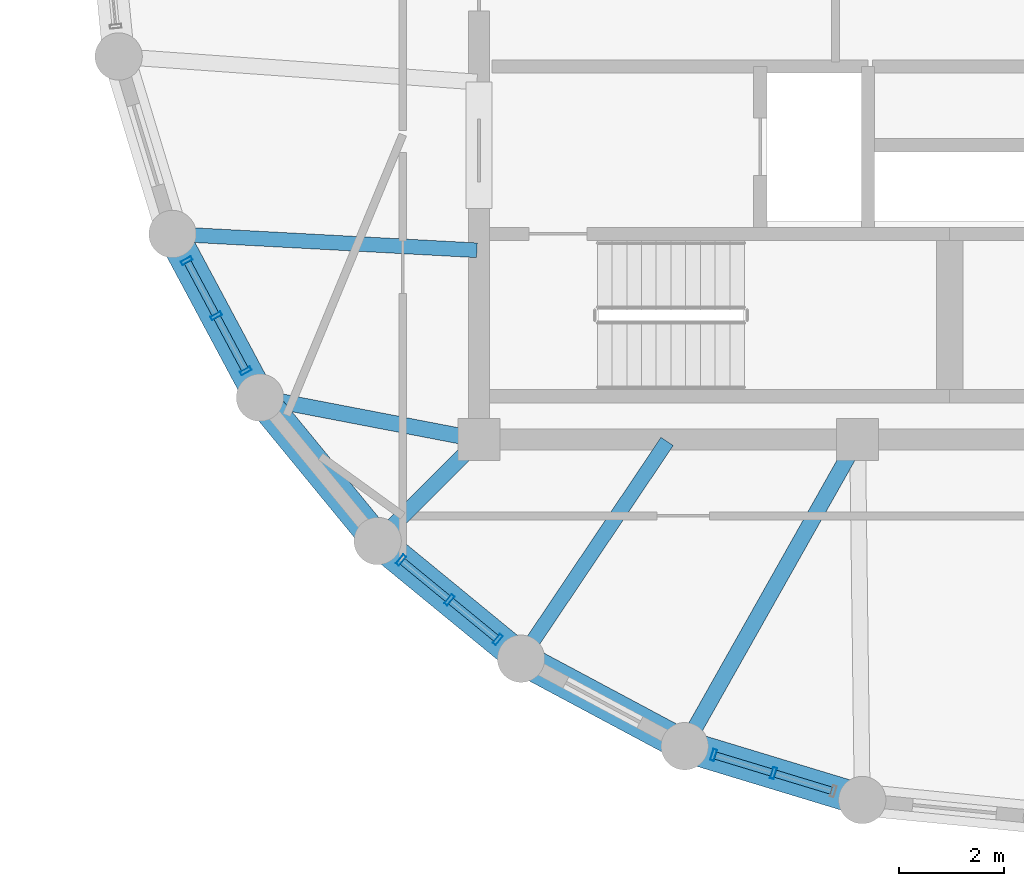
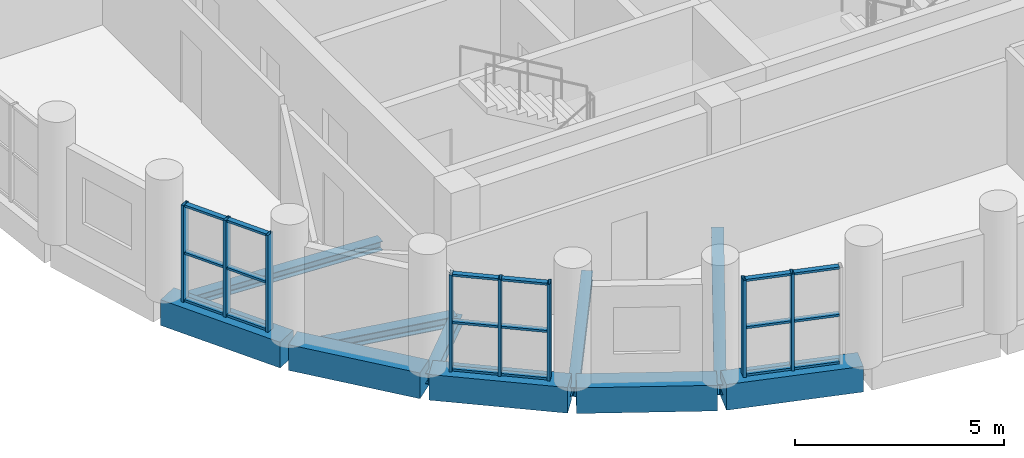
# One storey, part 2 of 11: 26 members, 10 beams, 3 elements without a shape of their own.
"""IFC4 building model written with IfcOpenShell, lengths in metres."""

from ifc_helpers import new_model, si_unit, direction, frame, origin, origin_2d, place, context, subcontext, project, spatial, rectangle, hollow_rectangle, i_section, extrude, material, layer, layer_set, material_profile, profile_set, type_object, element, aggregate, save


model = new_model("IFC4")

# Units and contexts
model_context = context("Model", 3, precision=1e-05, world=origin(), true_north=direction((0.0, 1.0)))
body_context = subcontext(model_context, "Body", "Model", "MODEL_VIEW")
ifc_project = project(units=[si_unit("LENGTHUNIT", "METRE"), si_unit("AREAUNIT", "SQUARE_METRE"), si_unit("VOLUMEUNIT", "CUBIC_METRE"), si_unit("PLANEANGLEUNIT", "RADIAN"), si_unit("MASSUNIT", "GRAM", prefix="KILO")], contexts=[model_context])

# Site, building, storey
site_placement = place(None, origin())
site = spatial("IfcSite", under=ifc_project, at=site_placement, CompositionType="ELEMENT")
building_placement = place(site_placement, origin())
building = spatial("IfcBuilding", under=site, at=building_placement, Name="Solnavia Interchange Tower", CompositionType="ELEMENT")
storey_placement = place(building_placement, frame((0.0, 0.0, 263.0)))
storey = spatial("IfcBuildingStorey", under=building, at=storey_placement, Name="L66", CompositionType="ELEMENT", Elevation=263.0)

# Beams
ifc_material_1 = material(Name="Steel S460", Category="steel")
ifc_material_profile_1 = material_profile(ifc_material_1, i_section(OverallWidth=0.300048828125, OverallDepth=0.300048828125, WebThickness=0.010986328125, FlangeThickness=0.01904296875, FilletRadius=0.027099609375, at=origin_2d()), Name="HEB 300")
ifc_profile_set_1 = profile_set([ifc_material_profile_1], Name="Steel S460")
beam_type_1 = type_object("IfcBeamType", Name="Beam-Girder-HEB300", PredefinedType="BEAM", material=ifc_profile_set_1)
beam_1_placement = place(storey_placement, frame((10.3125, 11.5849609375, -0.39990234375), z_axis=(0.982057527796, -0.188581579428, 0.0), x_axis=(0.188581579428, 0.982057527796, 0.0)))
element("IfcBeam", 1, at=beam_1_placement, inside=storey, type_object=beam_type_1, Name="GRD-L66-DR07 Drum radial floor girder", PredefinedType="BEAM", context=body_context, shape_type="SweptSolid", body=[
    extrude(i_section(OverallWidth=0.300048828125, OverallDepth=0.300048828125, WebThickness=0.010986328125, FlangeThickness=0.01904296875, FilletRadius=0.027099609375, at=origin_2d()), origin(), (0.0, 0.0, 1.0), 4.1220703125),
])
beam_2_placement = place(storey_placement, frame((18.351318359375, 5.039794921875, -0.39990234375), z_axis=(0.491243158486, 0.871022479182, 0.0), x_axis=(-0.871022479182, 0.491243158486, 0.0)))
element("IfcBeam", 2, at=beam_2_placement, inside=storey, type_object=beam_type_1, Name="GRD-L66-DR10 Drum radial floor girder", PredefinedType="BEAM", context=body_context, shape_type="SweptSolid", body=[
    extrude(i_section(OverallWidth=0.300048828125, OverallDepth=0.300048828125, WebThickness=0.010986328125, FlangeThickness=0.01904296875, FilletRadius=0.027099609375, at=origin_2d()), origin(), (0.0, 0.0, 1.0), 6.5732421875),
])
ifc_material_2 = material(Name="Steel S355", Category="steel")
ifc_material_profile_2 = material_profile(ifc_material_2, i_section(OverallWidth=0.280029296875, OverallDepth=0.27001953125, WebThickness=0.008056640625, FlangeThickness=0.012939453125, FilletRadius=0.02392578125, at=origin_2d()), Name="HEA 280")
ifc_profile_set_2 = profile_set([ifc_material_profile_2], Name="Steel S355")
beam_type_2 = type_object("IfcBeamType", Name="Beam-Primary-HEA280", PredefinedType="BEAM", material=ifc_profile_set_2)
beam_3_placement = place(storey_placement, frame((8.64990234375, 14.707763671875, -0.385009765625), z_axis=(0.998570371303, -0.053452909696, 0.0), x_axis=(0.053452909696, 0.998570371303, 0.0)))
element("IfcBeam", 3, at=beam_3_placement, inside=storey, type_object=beam_type_2, Name="GRD-L66-DR06 Drum radial floor girder", PredefinedType="BEAM", context=body_context, shape_type="SweptSolid", body=[
    extrude(i_section(OverallWidth=0.280029296875, OverallDepth=0.27001953125, WebThickness=0.008056640625, FlangeThickness=0.012939453125, FilletRadius=0.02392578125, at=origin_2d()), origin(), (0.0, 0.0, 1.0), 5.71826171875),
])
beam_4_placement = place(storey_placement, frame((15.24462890625, 6.700439453125, -0.385009765625), z_axis=(0.557835474219, 0.829951555033, 0.0), x_axis=(-0.829951555033, 0.557835474219, 0.0)))
element("IfcBeam", 4, at=beam_4_placement, inside=storey, type_object=beam_type_2, Name="GRD-L66-DR09 Drum radial floor girder", PredefinedType="BEAM", context=body_context, shape_type="SweptSolid", body=[
    extrude(i_section(OverallWidth=0.280029296875, OverallDepth=0.27001953125, WebThickness=0.008056640625, FlangeThickness=0.012939453125, FilletRadius=0.02392578125, at=origin_2d()), origin(), (0.0, 0.0, 1.0), 4.899658203125),
])
ifc_material_profile_3 = material_profile(ifc_material_2, i_section(OverallWidth=0.300048828125, OverallDepth=0.31005859375, WebThickness=0.009033203125, FlangeThickness=0.015380859375, FilletRadius=0.027099609375, at=origin_2d()), Name="HEA 320")
ifc_profile_set_3 = profile_set([ifc_material_profile_3], Name="Steel S355")
beam_type_3 = type_object("IfcBeamType", Name="Beam-Primary-HEA320", PredefinedType="BEAM", material=ifc_profile_set_3)
beam_5_placement = place(storey_placement, frame((12.528564453125, 8.9287109375, -0.405029296875), z_axis=(0.707106781187, 0.707106781187, 0.0), x_axis=(-0.707106781187, 0.707106781187, 0.0)))
element("IfcBeam", 5, at=beam_5_placement, inside=storey, type_object=beam_type_3, Name="GRD-L66-DR08 Drum radial floor girder", PredefinedType="BEAM", context=body_context, shape_type="SweptSolid", body=[
    extrude(i_section(OverallWidth=0.300048828125, OverallDepth=0.31005859375, WebThickness=0.009033203125, FlangeThickness=0.015380859375, FilletRadius=0.027099609375, at=origin_2d()), origin(), (0.0, 0.0, 1.0), 2.6064453125),
])
ifc_material_3 = material(Name="Concrete C50/60", Category="concrete")
ifc_material_profile_4 = material_profile(ifc_material_3, rectangle(XDim=0.60009765625, YDim=0.75, at=origin_2d()), Name="RC 600x750")
ifc_profile_set_4 = profile_set([ifc_material_profile_4], Name="Concrete C50/60")
beam_type_4 = type_object("IfcBeamType", Name="Beam-Spandrel-RC600x750", PredefinedType="SPANDREL", material=ifc_profile_set_4)
beam_6_placement = place(storey_placement, frame((8.607666015625, 14.6416015625, -0.375), z_axis=(0.471509422952, -0.881861023102, 0.0), x_axis=(0.881861023102, 0.471509422952, 0.0)))
element("IfcBeam", 6, at=beam_6_placement, inside=storey, type_object=beam_type_4, Name="SPB-L66-03 Framed-tube perimeter spandrel beam", PredefinedType="SPANDREL", context=body_context, shape_type="SweptSolid", body=[
    extrude(rectangle(XDim=0.60009765625, YDim=0.75, at=origin_2d()), origin(), (0.0, 0.0, 1.0), 3.369140625),
])
for number, where, z_axis, x_axis, name in (
    (7, (10.28466796875, 11.5380859375, -0.375), (0.634298841675, -0.773087950656, 0.0), (0.773087950656, 0.634298841675, 0.0), "SPB-L66-04 Framed-tube perimeter spandrel beam"),
    (8, (12.53369140625, 8.8212890625, -0.375), (0.773152644452, -0.634219984214, 0.0), (0.634219984214, 0.773152644452, 0.0), "SPB-L66-05 Framed-tube perimeter spandrel beam"),
):
    element("IfcBeam", number, at=place(storey_placement, frame(where, z_axis=z_axis, x_axis=x_axis)), inside=storey, type_object=beam_type_4, Name=name, PredefinedType="SPANDREL", context=body_context, shape_type="SweptSolid", body=[
        extrude(rectangle(XDim=0.60009765625, YDim=0.75, at=origin_2d()), origin(), (0.0, 0.0, 1.0), 3.36865234375),
    ])
beam_7_placement = place(storey_placement, frame((15.2705078125, 6.59619140625, -0.375), z_axis=(0.881875044348, -0.47148319817, 0.0), x_axis=(0.47148319817, 0.881875044348, 0.0)))
element("IfcBeam", 9, at=beam_7_placement, inside=storey, type_object=beam_type_4, Name="SPB-L66-06 Framed-tube perimeter spandrel beam", PredefinedType="SPANDREL", context=body_context, shape_type="SweptSolid", body=[
    extrude(rectangle(XDim=0.60009765625, YDim=0.75, at=origin_2d()), origin(), (0.0, 0.0, 1.0), 3.368896484375),
])
beam_8_placement = place(storey_placement, frame((18.388671875, 4.94677734375, -0.375), z_axis=(0.956943884494, -0.290272978297, 0.0), x_axis=(0.290272978297, 0.956943884494, 0.0)))
element("IfcBeam", 10, at=beam_8_placement, inside=storey, type_object=beam_type_4, Name="SPB-L66-07 Framed-tube perimeter spandrel beam", PredefinedType="SPANDREL", context=body_context, shape_type="SweptSolid", body=[
    extrude(rectangle(XDim=0.60009765625, YDim=0.75, at=origin_2d()), origin(), (0.0, 0.0, 1.0), 3.36767578125),
])

# Curtain wall, members
ifc_material_4 = material(Name="Aluminium Alloy 6063-T6", Category="aluminium")
ifc_layer = layer(ifc_material_4, 0.239990234375)
ifc_layer_set = layer_set([ifc_layer], Name="Aluminium Alloy 6063-T6")
curtain_wall_type = type_object("IfcCurtainWallType", Name="CurtainWall-Drum-CTW2", PredefinedType="NOTDEFINED", material=ifc_layer_set)
curtain_wall_1_placement = place(storey_placement, origin())
curtain_wall_1 = element("IfcCurtainWall", 11, at=curtain_wall_1_placement, inside=storey, type_object=curtain_wall_type, Name="CTW-L66-D39 CTW-2 curtain wall", PredefinedType="NOTDEFINED")
ifc_material_profile_5 = material_profile(ifc_material_4, hollow_rectangle(XDim=0.074951171875, YDim=0.219970703125, WallThickness=0.0048828125, at=origin_2d()), Name="ALU 220x75x5")
ifc_profile_set_5 = profile_set([ifc_material_profile_5], Name="Aluminium Alloy 6063-T6")
member_type_1 = type_object("IfcMemberType", Name="CW-Mullion-CWM-2", PredefinedType="MULLION", material=ifc_profile_set_5)
member_1_placement = place(storey_placement, frame((8.841064453125, 14.204833984375, 0.0), z_axis=(0.0, 0.0, 1.0), x_axis=(0.471560876964, -0.881833509976, 0.0)))
member_1 = element("IfcMember", 12, at=member_1_placement, type_object=member_type_1, Name="CTW-2 mullion 1", PredefinedType="MULLION", context=body_context, shape_type="SweptSolid", body=[
    extrude(hollow_rectangle(XDim=0.074951171875, YDim=0.219970703125, WallThickness=0.0048828125, at=origin_2d()), origin(), (0.0, 0.0, 1.0), 2.830078125),
])
member_2_placement = place(storey_placement, frame((9.402099609375, 13.156005859375, 0.0), z_axis=(0.0, 0.0, 1.0), x_axis=(0.471560876964, -0.881833509976, 0.0)))
member_2 = element("IfcMember", 13, at=member_2_placement, type_object=member_type_1, Name="CTW-2 mullion 2", PredefinedType="MULLION", context=body_context, shape_type="SweptSolid", body=[
    extrude(hollow_rectangle(XDim=0.074951171875, YDim=0.219970703125, WallThickness=0.0048828125, at=origin_2d()), origin(), (0.0, 0.0, 1.0), 2.830078125),
])
member_3_placement = place(storey_placement, frame((9.962890625, 12.107177734375, 0.0), z_axis=(0.0, 0.0, 1.0), x_axis=(0.471560876964, -0.881833509976, 0.0)))
member_3 = element("IfcMember", 14, at=member_3_placement, type_object=member_type_1, Name="CTW-2 mullion 3", PredefinedType="MULLION", context=body_context, shape_type="SweptSolid", body=[
    extrude(hollow_rectangle(XDim=0.074951171875, YDim=0.219970703125, WallThickness=0.0048828125, at=origin_2d()), origin(), (0.0, 0.0, 1.0), 2.830078125),
])

curtain_wall_2_placement = place(storey_placement, origin())
curtain_wall_2 = element("IfcCurtainWall", 15, at=curtain_wall_2_placement, inside=storey, type_object=curtain_wall_type, Name="CTW-L66-D41 CTW-2 curtain wall", PredefinedType="NOTDEFINED")
member_4_placement = place(storey_placement, frame((12.91650390625, 8.50732421875, 0.0), z_axis=(0.0, 0.0, 1.0), x_axis=(0.773103093557, -0.634280384951, 0.0)))
member_4 = element("IfcMember", 16, at=member_4_placement, type_object=member_type_1, Name="CTW-2 mullion 1", PredefinedType="MULLION", context=body_context, shape_type="SweptSolid", body=[
    extrude(hollow_rectangle(XDim=0.074951171875, YDim=0.219970703125, WallThickness=0.0048828125, at=origin_2d()), origin(), (0.0, 0.0, 1.0), 2.830078125),
])
member_5_placement = place(storey_placement, frame((13.8359375, 7.7529296875, 0.0), z_axis=(0.0, 0.0, 1.0), x_axis=(0.773103093557, -0.634280384951, 0.0)))
member_5 = element("IfcMember", 17, at=member_5_placement, type_object=member_type_1, Name="CTW-2 mullion 2", PredefinedType="MULLION", context=body_context, shape_type="SweptSolid", body=[
    extrude(hollow_rectangle(XDim=0.074951171875, YDim=0.219970703125, WallThickness=0.0048828125, at=origin_2d()), origin(), (0.0, 0.0, 1.0), 2.830078125),
])
member_6_placement = place(storey_placement, frame((14.75537109375, 6.998779296875, 0.0), z_axis=(0.0, 0.0, 1.0), x_axis=(0.773103093557, -0.634280384951, 0.0)))
member_6 = element("IfcMember", 18, at=member_6_placement, type_object=member_type_1, Name="CTW-2 mullion 3", PredefinedType="MULLION", context=body_context, shape_type="SweptSolid", body=[
    extrude(hollow_rectangle(XDim=0.074951171875, YDim=0.219970703125, WallThickness=0.0048828125, at=origin_2d()), origin(), (0.0, 0.0, 1.0), 2.830078125),
])

curtain_wall_3_placement = place(storey_placement, origin())
curtain_wall_3 = element("IfcCurtainWall", 19, at=curtain_wall_3_placement, inside=storey, type_object=curtain_wall_type, Name="CTW-L66-D43 CTW-2 curtain wall", PredefinedType="NOTDEFINED")
member_7_placement = place(storey_placement, frame((18.8623046875, 4.80322265625, 0.0), z_axis=(0.0, 0.0, 1.0), x_axis=(0.956942072515, -0.290278951786, 0.0)))
member_7 = element("IfcMember", 20, at=member_7_placement, type_object=member_type_1, Name="CTW-2 mullion 1", PredefinedType="MULLION", context=body_context, shape_type="SweptSolid", body=[
    extrude(hollow_rectangle(XDim=0.074951171875, YDim=0.219970703125, WallThickness=0.0048828125, at=origin_2d()), origin(), (0.0, 0.0, 1.0), 2.830078125),
])
member_8_placement = place(storey_placement, frame((20.0, 4.4580078125, 0.0), z_axis=(0.0, 0.0, 1.0), x_axis=(0.956942072515, -0.290278951786, 0.0)))
member_8 = element("IfcMember", 21, at=member_8_placement, type_object=member_type_1, Name="CTW-2 mullion 2", PredefinedType="MULLION", context=body_context, shape_type="SweptSolid", body=[
    extrude(hollow_rectangle(XDim=0.074951171875, YDim=0.219970703125, WallThickness=0.0048828125, at=origin_2d()), origin(), (0.0, 0.0, 1.0), 2.830078125),
])

# Member
ifc_material_profile_6 = material_profile(ifc_material_4, hollow_rectangle(XDim=0.06494140625, YDim=0.139892578125, WallThickness=0.00390625, at=origin_2d()), Name="ALU 140x65x4")
ifc_profile_set_6 = profile_set([ifc_material_profile_6], Name="Aluminium Alloy 6063-T6")
member_type_2 = type_object("IfcMemberType", Name="CW-Transom-CWT-2", PredefinedType="USERDEFINED", material=ifc_profile_set_6)
member_9_placement = place(storey_placement, frame((8.85888671875, 14.171875, 0.032470703125), z_axis=(0.471406647105, -0.881915967122, 0.0), x_axis=(0.0, 0.0, 1.0)))
member_9 = element("IfcMember", 22, at=member_9_placement, type_object=member_type_2, Name="CTW-2 transom 1.1", ObjectType="TRANSOM", PredefinedType="USERDEFINED", context=body_context, shape_type="SweptSolid", body=[
    extrude(hollow_rectangle(XDim=0.06494140625, YDim=0.139892578125, WallThickness=0.00390625, at=origin_2d()), origin(), (0.0, 0.0, 1.0), 1.114501953125),
])

member_10_placement = place(storey_placement, frame((8.85888671875, 14.171875, 1.4150390625), z_axis=(0.471406647105, -0.881915967122, 0.0), x_axis=(0.0, 0.0, 1.0)))
member_10 = element("IfcMember", 23, at=member_10_placement, type_object=member_type_2, Name="CTW-2 transom 1.2", ObjectType="TRANSOM", PredefinedType="USERDEFINED", context=body_context, shape_type="SweptSolid", body=[
    extrude(hollow_rectangle(XDim=0.06494140625, YDim=0.139892578125, WallThickness=0.00390625, at=origin_2d()), origin(), (0.0, 0.0, 1.0), 1.114501953125),
])

member_11_placement = place(storey_placement, frame((8.85888671875, 14.171875, 2.797607421875), z_axis=(0.471406647105, -0.881915967122, 0.0), x_axis=(0.0, 0.0, 1.0)))
member_11 = element("IfcMember", 24, at=member_11_placement, type_object=member_type_2, Name="CTW-2 transom 1.3", ObjectType="TRANSOM", PredefinedType="USERDEFINED", context=body_context, shape_type="SweptSolid", body=[
    extrude(hollow_rectangle(XDim=0.06494140625, YDim=0.139892578125, WallThickness=0.00390625, at=origin_2d()), origin(), (0.0, 0.0, 1.0), 1.114501953125),
])

member_12_placement = place(storey_placement, frame((9.419677734375, 13.123046875, 0.032470703125), z_axis=(0.471576996491, -0.881824889862, 0.0), x_axis=(0.0, 0.0, 1.0)))
member_12 = element("IfcMember", 25, at=member_12_placement, type_object=member_type_2, Name="CTW-2 transom 2.1", ObjectType="TRANSOM", PredefinedType="USERDEFINED", context=body_context, shape_type="SweptSolid", body=[
    extrude(hollow_rectangle(XDim=0.06494140625, YDim=0.139892578125, WallThickness=0.00390625, at=origin_2d()), origin(), (0.0, 0.0, 1.0), 1.11474609375),
])

member_13_placement = place(storey_placement, frame((9.419677734375, 13.123046875, 1.4150390625), z_axis=(0.471576996491, -0.881824889862, 0.0), x_axis=(0.0, 0.0, 1.0)))
member_13 = element("IfcMember", 26, at=member_13_placement, type_object=member_type_2, Name="CTW-2 transom 2.2", ObjectType="TRANSOM", PredefinedType="USERDEFINED", context=body_context, shape_type="SweptSolid", body=[
    extrude(hollow_rectangle(XDim=0.06494140625, YDim=0.139892578125, WallThickness=0.00390625, at=origin_2d()), origin(), (0.0, 0.0, 1.0), 1.11474609375),
])

member_14_placement = place(storey_placement, frame((9.419677734375, 13.123046875, 2.797607421875), z_axis=(0.471576996491, -0.881824889862, 0.0), x_axis=(0.0, 0.0, 1.0)))
member_14 = element("IfcMember", 27, at=member_14_placement, type_object=member_type_2, Name="CTW-2 transom 2.3", ObjectType="TRANSOM", PredefinedType="USERDEFINED", context=body_context, shape_type="SweptSolid", body=[
    extrude(hollow_rectangle(XDim=0.06494140625, YDim=0.139892578125, WallThickness=0.00390625, at=origin_2d()), origin(), (0.0, 0.0, 1.0), 1.11474609375),
])

aggregate(curtain_wall_1, [member_1, member_2, member_3, member_9, member_10, member_11, member_12, member_13, member_14])

member_15_placement = place(storey_placement, frame((12.945556640625, 8.483642578125, 0.032470703125), z_axis=(0.773136723636, -0.634239392158, 0.0), x_axis=(0.0, 0.0, 1.0)))
member_15 = element("IfcMember", 28, at=member_15_placement, type_object=member_type_2, Name="CTW-2 transom 1.1", ObjectType="TRANSOM", PredefinedType="USERDEFINED", context=body_context, shape_type="SweptSolid", body=[
    extrude(hollow_rectangle(XDim=0.06494140625, YDim=0.139892578125, WallThickness=0.00390625, at=origin_2d()), origin(), (0.0, 0.0, 1.0), 1.114501953125),
])

member_16_placement = place(storey_placement, frame((12.945556640625, 8.483642578125, 1.4150390625), z_axis=(0.773136723636, -0.634239392158, 0.0), x_axis=(0.0, 0.0, 1.0)))
member_16 = element("IfcMember", 29, at=member_16_placement, type_object=member_type_2, Name="CTW-2 transom 1.2", ObjectType="TRANSOM", PredefinedType="USERDEFINED", context=body_context, shape_type="SweptSolid", body=[
    extrude(hollow_rectangle(XDim=0.06494140625, YDim=0.139892578125, WallThickness=0.00390625, at=origin_2d()), origin(), (0.0, 0.0, 1.0), 1.114501953125),
])

member_17_placement = place(storey_placement, frame((12.945556640625, 8.483642578125, 2.797607421875), z_axis=(0.773136723636, -0.634239392158, 0.0), x_axis=(0.0, 0.0, 1.0)))
member_17 = element("IfcMember", 30, at=member_17_placement, type_object=member_type_2, Name="CTW-2 transom 1.3", ObjectType="TRANSOM", PredefinedType="USERDEFINED", context=body_context, shape_type="SweptSolid", body=[
    extrude(hollow_rectangle(XDim=0.06494140625, YDim=0.139892578125, WallThickness=0.00390625, at=origin_2d()), origin(), (0.0, 0.0, 1.0), 1.114501953125),
])

member_18_placement = place(storey_placement, frame((13.864990234375, 7.729248046875, 0.032470703125), z_axis=(0.773048573819, -0.634346831407, 0.0), x_axis=(0.0, 0.0, 1.0)))
member_18 = element("IfcMember", 31, at=member_18_placement, type_object=member_type_2, Name="CTW-2 transom 2.1", ObjectType="TRANSOM", PredefinedType="USERDEFINED", context=body_context, shape_type="SweptSolid", body=[
    extrude(hollow_rectangle(XDim=0.06494140625, YDim=0.139892578125, WallThickness=0.00390625, at=origin_2d()), origin(), (0.0, 0.0, 1.0), 1.1142578125),
])

member_19_placement = place(storey_placement, frame((13.864990234375, 7.729248046875, 1.4150390625), z_axis=(0.773048573819, -0.634346831407, 0.0), x_axis=(0.0, 0.0, 1.0)))
member_19 = element("IfcMember", 32, at=member_19_placement, type_object=member_type_2, Name="CTW-2 transom 2.2", ObjectType="TRANSOM", PredefinedType="USERDEFINED", context=body_context, shape_type="SweptSolid", body=[
    extrude(hollow_rectangle(XDim=0.06494140625, YDim=0.139892578125, WallThickness=0.00390625, at=origin_2d()), origin(), (0.0, 0.0, 1.0), 1.1142578125),
])

member_20_placement = place(storey_placement, frame((13.864990234375, 7.729248046875, 2.797607421875), z_axis=(0.773048573819, -0.634346831407, 0.0), x_axis=(0.0, 0.0, 1.0)))
member_20 = element("IfcMember", 33, at=member_20_placement, type_object=member_type_2, Name="CTW-2 transom 2.3", ObjectType="TRANSOM", PredefinedType="USERDEFINED", context=body_context, shape_type="SweptSolid", body=[
    extrude(hollow_rectangle(XDim=0.06494140625, YDim=0.139892578125, WallThickness=0.00390625, at=origin_2d()), origin(), (0.0, 0.0, 1.0), 1.1142578125),
])

aggregate(curtain_wall_2, [member_4, member_5, member_6, member_15, member_16, member_17, member_18, member_19, member_20])

member_21_placement = place(storey_placement, frame((18.898193359375, 4.792236328125, 0.032470703125), z_axis=(0.956965394332, -0.290202057283, 0.0), x_axis=(0.0, 0.0, 1.0)))
member_21 = element("IfcMember", 34, at=member_21_placement, type_object=member_type_2, Name="CTW-2 transom 1.1", ObjectType="TRANSOM", PredefinedType="USERDEFINED", context=body_context, shape_type="SweptSolid", body=[
    extrude(hollow_rectangle(XDim=0.06494140625, YDim=0.139892578125, WallThickness=0.00390625, at=origin_2d()), origin(), (0.0, 0.0, 1.0), 1.11376953125),
])

member_22_placement = place(storey_placement, frame((18.898193359375, 4.792236328125, 1.4150390625), z_axis=(0.956965394332, -0.290202057283, 0.0), x_axis=(0.0, 0.0, 1.0)))
member_22 = element("IfcMember", 35, at=member_22_placement, type_object=member_type_2, Name="CTW-2 transom 1.2", ObjectType="TRANSOM", PredefinedType="USERDEFINED", context=body_context, shape_type="SweptSolid", body=[
    extrude(hollow_rectangle(XDim=0.06494140625, YDim=0.139892578125, WallThickness=0.00390625, at=origin_2d()), origin(), (0.0, 0.0, 1.0), 1.11376953125),
])

member_23_placement = place(storey_placement, frame((18.898193359375, 4.792236328125, 2.797607421875), z_axis=(0.956965394332, -0.290202057283, 0.0), x_axis=(0.0, 0.0, 1.0)))
member_23 = element("IfcMember", 36, at=member_23_placement, type_object=member_type_2, Name="CTW-2 transom 1.3", ObjectType="TRANSOM", PredefinedType="USERDEFINED", context=body_context, shape_type="SweptSolid", body=[
    extrude(hollow_rectangle(XDim=0.06494140625, YDim=0.139892578125, WallThickness=0.00390625, at=origin_2d()), origin(), (0.0, 0.0, 1.0), 1.11376953125),
])

member_24_placement = place(storey_placement, frame((20.035888671875, 4.447021484375, 0.032470703125), z_axis=(0.956965394332, -0.290202057283, 0.0), x_axis=(0.0, 0.0, 1.0)))
member_24 = element("IfcMember", 37, at=member_24_placement, type_object=member_type_2, Name="CTW-2 transom 2.1", ObjectType="TRANSOM", PredefinedType="USERDEFINED", context=body_context, shape_type="SweptSolid", body=[
    extrude(hollow_rectangle(XDim=0.06494140625, YDim=0.139892578125, WallThickness=0.00390625, at=origin_2d()), origin(), (0.0, 0.0, 1.0), 1.11376953125),
])

member_25_placement = place(storey_placement, frame((20.035888671875, 4.447021484375, 1.4150390625), z_axis=(0.956965394332, -0.290202057283, 0.0), x_axis=(0.0, 0.0, 1.0)))
member_25 = element("IfcMember", 38, at=member_25_placement, type_object=member_type_2, Name="CTW-2 transom 2.2", ObjectType="TRANSOM", PredefinedType="USERDEFINED", context=body_context, shape_type="SweptSolid", body=[
    extrude(hollow_rectangle(XDim=0.06494140625, YDim=0.139892578125, WallThickness=0.00390625, at=origin_2d()), origin(), (0.0, 0.0, 1.0), 1.11376953125),
])

member_26_placement = place(storey_placement, frame((20.035888671875, 4.447021484375, 2.797607421875), z_axis=(0.956965394332, -0.290202057283, 0.0), x_axis=(0.0, 0.0, 1.0)))
member_26 = element("IfcMember", 39, at=member_26_placement, type_object=member_type_2, Name="CTW-2 transom 2.3", ObjectType="TRANSOM", PredefinedType="USERDEFINED", context=body_context, shape_type="SweptSolid", body=[
    extrude(hollow_rectangle(XDim=0.06494140625, YDim=0.139892578125, WallThickness=0.00390625, at=origin_2d()), origin(), (0.0, 0.0, 1.0), 1.11376953125),
])

aggregate(curtain_wall_3, [member_7, member_8, member_21, member_22, member_23, member_24, member_25, member_26])

save(model, "model.ifc")
